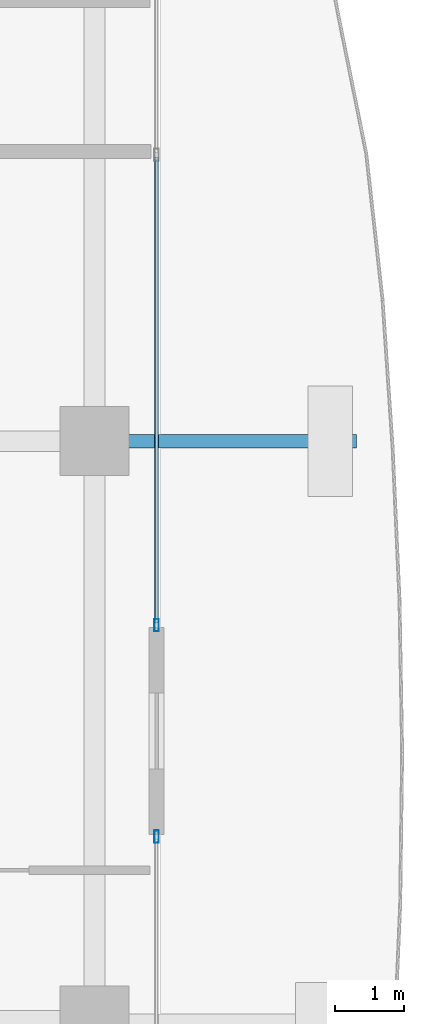
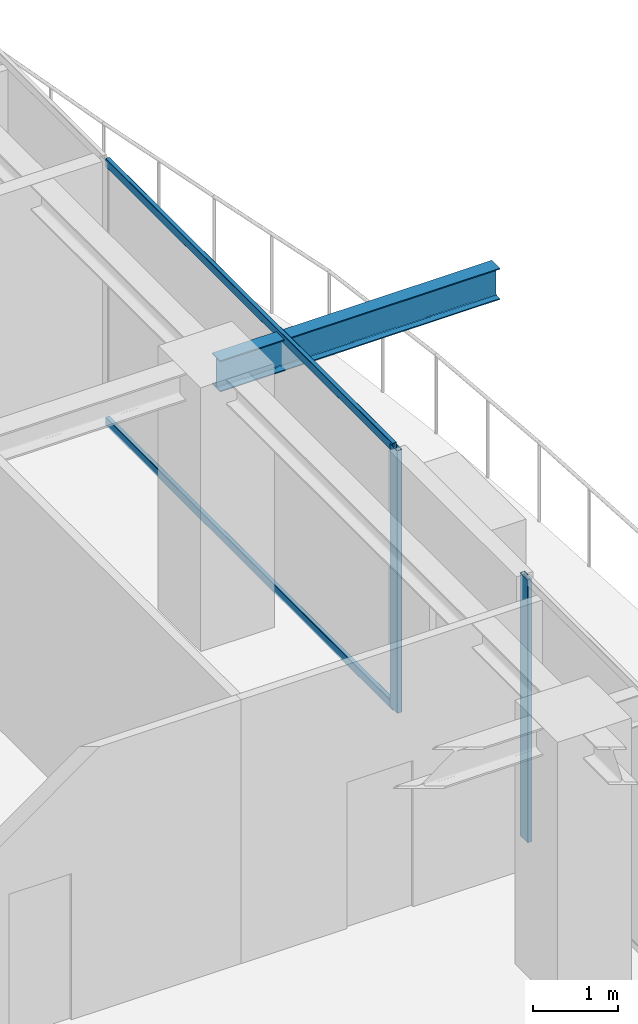
# One storey, part 18 of 42: 4 members, 1 beam, 2 elements without a shape of their own.
"""IFC4 building model written with IfcOpenShell, lengths in metres."""

from ifc_helpers import new_model, si_unit, direction, frame, origin, origin_2d, place, context, subcontext, project, spatial, hollow_rectangle, i_section, extrude, source, transform, mapped, material, layer, layer_set, material_profile, profile_set, type_object, element, aggregate, save


model = new_model("IFC4")

# Units and contexts
model_context = context("Model", 3, precision=1e-05, world=origin(), true_north=direction((0.0, 1.0)))
body_context = subcontext(model_context, "Body", "Model", "MODEL_VIEW")
ifc_project = project(units=[si_unit("LENGTHUNIT", "METRE"), si_unit("AREAUNIT", "SQUARE_METRE"), si_unit("VOLUMEUNIT", "CUBIC_METRE"), si_unit("PLANEANGLEUNIT", "RADIAN"), si_unit("MASSUNIT", "GRAM", prefix="KILO")], contexts=[model_context])

# Site, building, storey
site_placement = place(None, origin())
site = spatial("IfcSite", under=ifc_project, at=site_placement, CompositionType="ELEMENT")
building_placement = place(site_placement, origin())
building = spatial("IfcBuilding", under=site, at=building_placement, Name="Serunith Strait Residences", CompositionType="ELEMENT")
storey_placement = place(building_placement, frame((0.0, 0.0, 293.449951171875)))
storey = spatial("IfcBuildingStorey", under=building, at=storey_placement, Name="L73", CompositionType="ELEMENT", Elevation=293.449951171875)

# Beam
ifc_material_1 = material(Name="Steel S355J2", Category="steel")
ifc_material_profile_1 = material_profile(ifc_material_1, i_section(OverallWidth=0.18994140625, OverallDepth=0.449951171875, WebThickness=0.009521484375, FlangeThickness=0.0146484375, FilletRadius=0.02099609375, at=origin_2d()), Name="IPE 450")
ifc_profile_set_1 = profile_set([ifc_material_profile_1], Name="Steel S355J2")
beam_type = type_object("IfcBeamType", Name="BM-IPE450", PredefinedType="JOIST", material=ifc_profile_set_1)
shared_shape_1 = source(origin(), body_context, "Body", "SweptSolid", [
    extrude(i_section(OverallWidth=0.18994140625, OverallDepth=0.449951171875, WebThickness=0.009521484375, FlangeThickness=0.0146484375, FilletRadius=0.02099609375, at=origin_2d()), origin(), (0.0, 0.0, 1.0), 3.800048828125),
])
beam_placement = place(storey_placement, frame((54.699951171875, 29.39990234375, 3.531982421875), z_axis=(1.0, 0.0, 0.0), x_axis=(0.0, 1.0, 0.0)))
element("IfcBeam", 1, at=beam_placement, inside=storey, type_object=beam_type, Name="L74 Cantilevered Balcony Rib TC-E3", PredefinedType="JOIST", context=body_context, shape_type="MappedRepresentation", body=[
    mapped(shared_shape_1, transform((0.0, 0.0, 0.0), scale=1.0)),
])

# Curtain wall, member
ifc_material_2 = material(Name="Brushed Stainless-Silver Aluminium", Category="aluminium")
ifc_layer = layer(ifc_material_2, 0.199951171875, Name="Brushed Stainless-Silver Aluminium")
ifc_layer_set = layer_set([ifc_layer], Name="Brushed Stainless-Silver Aluminium")
curtain_wall_type = type_object("IfcCurtainWallType", Name="CW-SYS5", PredefinedType="NOTDEFINED", material=ifc_layer_set)
curtain_wall_1_placement = place(storey_placement, origin())
curtain_wall_1 = element("IfcCurtainWall", 2, at=curtain_wall_1_placement, inside=storey, type_object=curtain_wall_type, Name="L73 E Unitised Fritted Curtain Wall", PredefinedType="NOTDEFINED")
ifc_material_profile_2 = material_profile(ifc_material_2, hollow_rectangle(XDim=0.06494140625, YDim=0.179931640625, WallThickness=0.00341796875, InnerFilletRadius=0.00537109375, OuterFilletRadius=0.0087890625, at=origin_2d()), Name="ALU 180x65x3.5")
ifc_profile_set_2 = profile_set([ifc_material_profile_2], Name="Brushed Stainless-Silver Aluminium")
member_type_1 = type_object("IfcMemberType", Name="CW-SYS5-MULL", PredefinedType="MULLION", material=ifc_profile_set_2)
shared_shape_2 = source(origin(), body_context, "Body", "SweptSolid", [
    extrude(hollow_rectangle(XDim=0.06494140625, YDim=0.179931640625, WallThickness=0.00341796875, InnerFilletRadius=0.00537109375, OuterFilletRadius=0.0087890625, at=origin_2d()), origin(), (0.0, 0.0, 1.0), 3.775146484375),
])
member_1_placement = place(storey_placement, frame((55.60009765625, 23.66748046875, 0.0), z_axis=(0.0, 0.0, 1.0), x_axis=(-1.0, 0.0, 0.0)))
member_1 = element("IfcMember", 3, at=member_1_placement, type_object=member_type_1, Name="CW-5 mullion 3", PredefinedType="MULLION", context=body_context, shape_type="MappedRepresentation", body=[
    mapped(shared_shape_2, transform((0.0, 0.0, 0.0), scale=1.0)),
])
aggregate(curtain_wall_1, [member_1])

# Curtain wall, members
curtain_wall_2_placement = place(storey_placement, origin())
curtain_wall_2 = element("IfcCurtainWall", 4, at=curtain_wall_2_placement, inside=storey, type_object=curtain_wall_type, Name="L73 E Unitised Fritted Curtain Wall", PredefinedType="NOTDEFINED")
member_2_placement = place(storey_placement, frame((55.60009765625, 26.732421875, 0.0), z_axis=(0.0, 0.0, 1.0), x_axis=(-1.0, 0.0, 0.0)))
member_2 = element("IfcMember", 5, at=member_2_placement, type_object=member_type_1, Name="CW-5 mullion 1", PredefinedType="MULLION", context=body_context, shape_type="MappedRepresentation", body=[
    mapped(shared_shape_2, transform((0.0, 0.0, 0.0), scale=1.0)),
])
ifc_material_profile_3 = material_profile(ifc_material_2, hollow_rectangle(XDim=0.06005859375, YDim=0.1201171875, WallThickness=0.00341796875, InnerFilletRadius=0.00537109375, OuterFilletRadius=0.0087890625, at=origin_2d()), Name="ALU 120x60x3.5")
ifc_profile_set_3 = profile_set([ifc_material_profile_3], Name="Brushed Stainless-Silver Aluminium")
member_type_2 = type_object("IfcMemberType", Name="CW-SYS5-TRAN", PredefinedType="USERDEFINED", material=ifc_profile_set_3)
shared_shape_3 = source(origin(), body_context, "Body", "SweptSolid", [
    extrude(hollow_rectangle(XDim=0.06005859375, YDim=0.1201171875, WallThickness=0.00341796875, InnerFilletRadius=0.00537109375, OuterFilletRadius=0.0087890625, at=origin_2d()), origin(), (0.0, 0.0, 1.0), 6.752685546875),
])
member_3_placement = place(storey_placement, frame((55.60009765625, 26.764892578125, 0.030029296875), z_axis=(0.0, 1.0, 0.0), x_axis=(-1.0, 0.0, 0.0)))
member_3 = element("IfcMember", 6, at=member_3_placement, type_object=member_type_2, Name="CW-5 transom 1.1", ObjectType="TRANSOM", PredefinedType="USERDEFINED", context=body_context, shape_type="MappedRepresentation", body=[
    mapped(shared_shape_3, transform((0.0, 0.0, 0.0), scale=1.0)),
])
member_4_placement = place(storey_placement, frame((55.60009765625, 26.764892578125, 3.7451171875), z_axis=(0.0, 1.0, 0.0), x_axis=(-1.0, 0.0, 0.0)))
member_4 = element("IfcMember", 7, at=member_4_placement, type_object=member_type_2, Name="CW-5 transom 1.2", ObjectType="TRANSOM", PredefinedType="USERDEFINED", context=body_context, shape_type="MappedRepresentation", body=[
    mapped(shared_shape_3, transform((0.0, 0.0, 0.0), scale=1.0)),
])
aggregate(curtain_wall_2, [member_2, member_3, member_4])

save(model, "model.ifc")
